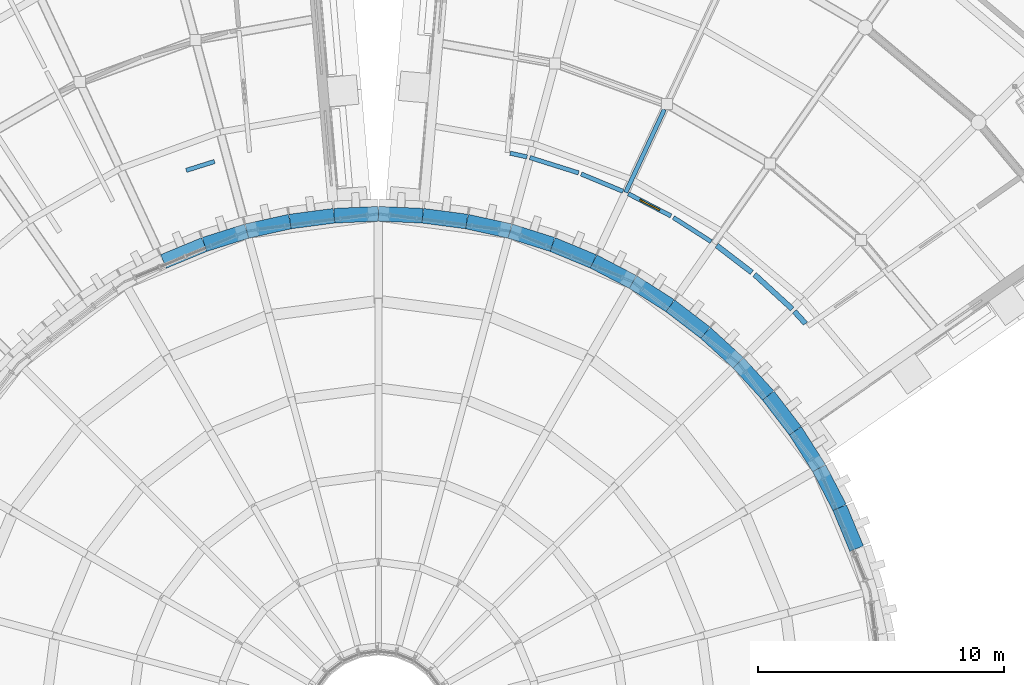
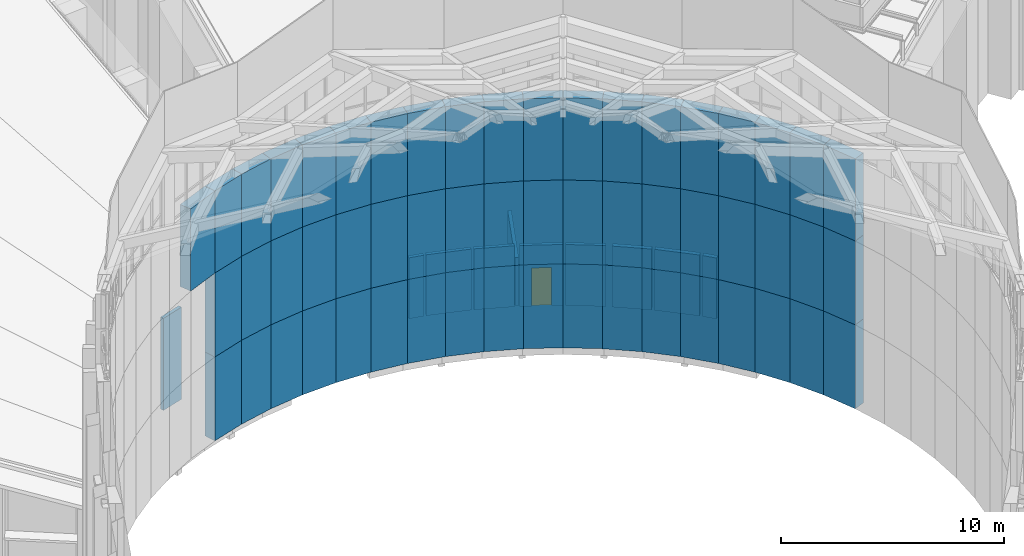
# One storey, part 55 of 82: 65 walls, 1 door, 1 opening.
"""IFC4 building model written with IfcOpenShell, lengths in metres."""

from ifc_helpers import new_model, si_unit, direction, frame, frame_2d, origin, place, context, subcontext, project, spatial, rectangle, extrude, material, layer, layer_set, type_object, element, fill, save


model = new_model("IFC4")

# Units and contexts
model_context = context("Model", 3, precision=1e-05, world=origin(), true_north=direction((0.0, 1.0)))
body_context = subcontext(model_context, "Body", "Model", "MODEL_VIEW")
ifc_project = project(units=[si_unit("LENGTHUNIT", "METRE"), si_unit("AREAUNIT", "SQUARE_METRE"), si_unit("VOLUMEUNIT", "CUBIC_METRE"), si_unit("PLANEANGLEUNIT", "RADIAN"), si_unit("MASSUNIT", "GRAM", prefix="KILO")], contexts=[model_context])

# Site, building, storey
site_placement = place(None, origin())
site = spatial("IfcSite", under=ifc_project, at=site_placement, CompositionType="ELEMENT")
building_placement = place(site_placement, origin())
building = spatial("IfcBuilding", under=site, at=building_placement, Name="Volute Hill Aquarium", CompositionType="ELEMENT")
storey_placement = place(building_placement, frame((0.0, 0.0, 13.800048828125)))
storey = spatial("IfcBuildingStorey", under=building, at=storey_placement, Name="L04", CompositionType="ELEMENT", Elevation=13.800048828125)

# Wall
ifc_material_1 = material(Name="Gypsum board on steel studs", Category="steel")
ifc_layer_1 = layer(ifc_material_1, 0.175048828125)
ifc_layer_set_1 = layer_set([ifc_layer_1], Name="Corridor partition 175 EI 60")
wall_type_1 = type_object("IfcWallType", Name="Corridor partition 175 EI 60", PredefinedType="PARTITIONING", material=ifc_layer_set_1)
wall_1_placement = place(storey_placement, frame((11.631591796875, 24.944091796875, 0.0), z_axis=(0.0, 0.0, 1.0), x_axis=(-0.422598231928, -0.906317126822, 0.0)))
element("IfcWall", 1, at=wall_1_placement, inside=storey, type_object=wall_type_1, Name="pw/S5/L04/020", PredefinedType="PARTITIONING", context=body_context, shape_type="SweptSolid", body=[
    extrude(rectangle(XDim=3.722900390625, YDim=0.175048828125, at=frame_2d((1.861328125, 0.0))), origin(), (0.0, 0.0, 1.0), 2.621826171875),
])

# Wall, opening, door
wall_2_placement = place(storey_placement, frame((10.16259765625, 21.515869140625, 0.0), z_axis=(0.0, 0.0, 1.0), x_axis=(0.886977909213, -0.46181185408, 0.0)))
wall_2 = element("IfcWall", 2, at=wall_2_placement, inside=storey, type_object=wall_type_1, Name="pw/S5/L04/029", PredefinedType="PARTITIONING", context=body_context, shape_type="SweptSolid", body=[
    extrude(rectangle(XDim=1.958740234375, YDim=0.175048828125, at=frame_2d((0.9794921875, 0.0))), origin(), (0.0, 0.0, 1.0), 3.343017578125),
])
opening_placement = place(wall_2_placement, frame((0.529296875, 0.0, 0.0)))
opening = element("IfcOpeningElement", 3, at=opening_placement, cuts=wall_2, Name="Opening D5.04.01", PredefinedType="OPENING", context=body_context, shape_type="SweptSolid", body=[
    extrude(rectangle(XDim=0.89990234375, YDim=2.10009765625, at=frame_2d((0.449951171875, 1.050048828125))), frame((0.0, 0.097412109375, 0.0), z_axis=(0.0, -1.0, 0.0), x_axis=(1.0, 0.0, 0.0)), (0.0, 0.0, 1.0), 0.195068359375),
])
ifc_material_2 = material(Name="Timber, fire-rated", Category="wood")
door_type = type_object("IfcDoorType", Name="Door 900 x 2100 wc single EI1 30", OperationType="SINGLE_SWING_LEFT", PredefinedType="DOOR", material=ifc_material_2)
door_placement = place(opening_placement, origin())
door = element("IfcDoor", 4, at=door_placement, inside=storey, type_object=door_type, Name="d/S5/L04/01", OperationType="SINGLE_SWING_LEFT", OverallHeight=2.10009765625, OverallWidth=0.89990234375, PredefinedType="DOOR", context=body_context, shape_type="SweptSolid", body=[
    extrude(rectangle(XDim=0.89990234375, YDim=2.10009765625, at=frame_2d((0.449951171875, 1.050048828125))), frame((0.0, 0.02490234375, 0.0), z_axis=(0.0, -1.0, 0.0), x_axis=(1.0, 0.0, 0.0)), (0.0, 0.0, 1.0), 0.050048828125),
])
fill(opening, door)

# Walls
wall_3_placement = place(storey_placement, frame((6.159912109375, 22.989013671875, 0.0), z_axis=(0.0, 0.0, 1.0), x_axis=(0.953730050022, -0.300664250759, 0.0)))
element("IfcWall", 5, at=wall_3_placement, inside=storey, type_object=wall_type_1, Name="pw/S5/L04/030", PredefinedType="PARTITIONING", context=body_context, shape_type="SweptSolid", body=[
    extrude(rectangle(XDim=2.076416015625, YDim=0.175048828125, at=frame_2d((1.0380859375, 0.0))), origin(), (0.0, 0.0, 1.0), 3.341552734375),
])
wall_4_placement = place(storey_placement, frame((11.9990234375, 20.54833984375, 0.0), z_axis=(0.0, 0.0, 1.0), x_axis=(0.843357799578, -0.537352418708, 0.0)))
element("IfcWall", 6, at=wall_4_placement, inside=storey, type_object=wall_type_1, Name="pw/S5/L04/031", PredefinedType="PARTITIONING", context=body_context, shape_type="SweptSolid", body=[
    extrude(rectangle(XDim=1.821533203125, YDim=0.175048828125, at=frame_2d((0.91064453125, 0.0))), origin(), (0.0, 0.0, 1.0), 3.34326171875),
])
wall_5_placement = place(storey_placement, frame((8.24853515625, 22.319580078125, 0.0), z_axis=(0.0, 0.0, 1.0), x_axis=(0.923890787601, -0.382656259044, 0.0)))
element("IfcWall", 7, at=wall_5_placement, inside=storey, type_object=wall_type_1, Name="pw/S5/L04/032", PredefinedType="PARTITIONING", context=body_context, shape_type="SweptSolid", body=[
    extrude(rectangle(XDim=1.84130859375, YDim=0.175048828125, at=frame_2d((0.920654296875, 0.0))), origin(), (0.0, 0.0, 1.0), 3.343017578125),
])
wall_6_placement = place(storey_placement, frame((5.35595703125, 23.167236328125, 0.0), z_axis=(0.0, 0.0, 1.0), x_axis=(0.976284608058, -0.216491025379, 0.0)))
element("IfcWall", 8, at=wall_6_placement, inside=storey, type_object=wall_type_1, Name="pw/S5/L04/039", PredefinedType="PARTITIONING", context=body_context, shape_type="SweptSolid", body=[
    extrude(rectangle(XDim=0.7060546875, YDim=0.175048828125, at=frame_2d((0.35302734375, 0.0))), origin(), (0.0, 0.0, 1.0), 3.343017578125),
])
wall_7_placement = place(storey_placement, frame((-7.819580078125, 22.4658203125, 0.0), z_axis=(0.0, 0.0, 1.0), x_axis=(0.953765647502, 0.300551309505, 0.0)))
element("IfcWall", 9, at=wall_7_placement, inside=storey, type_object=wall_type_1, Name="pw/S6/L04/048", PredefinedType="PARTITIONING", context=body_context, shape_type="SweptSolid", body=[
    extrude(rectangle(XDim=1.208740234375, YDim=0.175048828125, at=frame_2d((0.6044921875, 0.0))), origin(), (0.0, 0.0, 1.0), 5.047607421875),
])
ifc_material_3 = material(Name="Concrete C35/45", Category="concrete")
ifc_layer_2 = layer(ifc_material_3, 0.60009765625)
ifc_layer_set_2 = layer_set([ifc_layer_2], Name="Drum wall C35/45 600")
wall_type_2 = type_object("IfcWallType", Name="Drum wall C35/45 600", PredefinedType="SHEAR", material=ifc_layer_set_2)
wall_8_placement = place(storey_placement, frame((19.45166015625, 7.079833984375, 0.0), z_axis=(0.0, 0.0, 1.0), x_axis=(-0.382713954298, 0.923866889322, 0.0)))
element("IfcWall", 10, at=wall_8_placement, inside=storey, type_object=wall_type_2, Name="sw/DR/L04/4", PredefinedType="SHEAR", context=body_context, shape_type="SweptSolid", body=[
    extrude(rectangle(XDim=1.805908203125, YDim=0.60009765625, at=frame_2d((0.90283203125, 0.0))), origin(), (0.0, 0.0, 1.0), 4.599853515625),
])
wall_9_placement = place(storey_placement, frame((19.45166015625, 7.079833984375, 4.599853515625), z_axis=(0.0, 0.0, 1.0), x_axis=(-0.382713954298, 0.923866889322, 0.0)))
element("IfcWall", 11, at=wall_9_placement, inside=storey, type_object=wall_type_2, Name="sw/DR/L04/76", PredefinedType="SHEAR", context=body_context, shape_type="SweptSolid", body=[
    extrude(rectangle(XDim=1.805908203125, YDim=0.60009765625, at=frame_2d((0.90283203125, 0.0))), origin(), (0.0, 0.0, 1.0), 4.60009765625),
])
wall_10_placement = place(storey_placement, frame((19.45166015625, 7.079833984375, 9.199951171875), z_axis=(0.0, 0.0, 1.0), x_axis=(-0.382713954298, 0.923866889322, 0.0)))
element("IfcWall", 12, at=wall_10_placement, inside=storey, type_object=wall_type_2, Name="sw/DR/L04/148", PredefinedType="SHEAR", context=body_context, shape_type="SweptSolid", body=[
    extrude(rectangle(XDim=1.805908203125, YDim=0.60009765625, at=frame_2d((0.90283203125, 0.0))), origin(), (0.0, 0.0, 1.0), 4.5),
])
wall_11_placement = place(storey_placement, frame((18.760498046875, 8.748291015625, 0.0), z_axis=(0.0, 0.0, 1.0), x_axis=(-0.461701764231, 0.887035219654, 0.0)))
element("IfcWall", 13, at=wall_11_placement, inside=storey, type_object=wall_type_2, Name="sw/DR/L04/5", PredefinedType="SHEAR", context=body_context, shape_type="SweptSolid", body=[
    extrude(rectangle(XDim=1.805908203125, YDim=0.60009765625, at=frame_2d((0.90283203125, 0.0))), origin(), (0.0, 0.0, 1.0), 4.599853515625),
])
wall_12_placement = place(storey_placement, frame((18.760498046875, 8.748291015625, 4.599853515625), z_axis=(0.0, 0.0, 1.0), x_axis=(-0.461701764231, 0.887035219654, 0.0)))
element("IfcWall", 14, at=wall_12_placement, inside=storey, type_object=wall_type_2, Name="sw/DR/L04/77", PredefinedType="SHEAR", context=body_context, shape_type="SweptSolid", body=[
    extrude(rectangle(XDim=1.805908203125, YDim=0.60009765625, at=frame_2d((0.90283203125, 0.0))), origin(), (0.0, 0.0, 1.0), 4.60009765625),
])
wall_13_placement = place(storey_placement, frame((18.760498046875, 8.748291015625, 9.199951171875), z_axis=(0.0, 0.0, 1.0), x_axis=(-0.461701764231, 0.887035219654, 0.0)))
element("IfcWall", 15, at=wall_13_placement, inside=storey, type_object=wall_type_2, Name="sw/DR/L04/149", PredefinedType="SHEAR", context=body_context, shape_type="SweptSolid", body=[
    extrude(rectangle(XDim=1.805908203125, YDim=0.60009765625, at=frame_2d((0.90283203125, 0.0))), origin(), (0.0, 0.0, 1.0), 4.5),
])
wall_14_placement = place(storey_placement, frame((17.9267578125, 10.35009765625, 0.0), z_axis=(0.0, 0.0, 1.0), x_axis=(-0.537391510251, 0.843332890803, 0.0)))
element("IfcWall", 16, at=wall_14_placement, inside=storey, type_object=wall_type_2, Name="sw/DR/L04/6", PredefinedType="SHEAR", context=body_context, shape_type="SweptSolid", body=[
    extrude(rectangle(XDim=1.805908203125, YDim=0.60009765625, at=frame_2d((0.90283203125, 0.0))), origin(), (0.0, 0.0, 1.0), 4.599853515625),
])
wall_15_placement = place(storey_placement, frame((17.9267578125, 10.35009765625, 4.599853515625), z_axis=(0.0, 0.0, 1.0), x_axis=(-0.537391510251, 0.843332890803, 0.0)))
element("IfcWall", 17, at=wall_15_placement, inside=storey, type_object=wall_type_2, Name="sw/DR/L04/78", PredefinedType="SHEAR", context=body_context, shape_type="SweptSolid", body=[
    extrude(rectangle(XDim=1.805908203125, YDim=0.60009765625, at=frame_2d((0.90283203125, 0.0))), origin(), (0.0, 0.0, 1.0), 4.60009765625),
])
wall_16_placement = place(storey_placement, frame((17.9267578125, 10.35009765625, 9.199951171875), z_axis=(0.0, 0.0, 1.0), x_axis=(-0.537391510251, 0.843332890803, 0.0)))
element("IfcWall", 18, at=wall_16_placement, inside=storey, type_object=wall_type_2, Name="sw/DR/L04/150", PredefinedType="SHEAR", context=body_context, shape_type="SweptSolid", body=[
    extrude(rectangle(XDim=1.805908203125, YDim=0.60009765625, at=frame_2d((0.90283203125, 0.0))), origin(), (0.0, 0.0, 1.0), 4.5),
])
wall_17_placement = place(storey_placement, frame((16.956298828125, 11.873046875, 0.0), z_axis=(0.0, 0.0, 1.0), x_axis=(-0.608704004289, 0.793397400526, 0.0)))
element("IfcWall", 19, at=wall_17_placement, inside=storey, type_object=wall_type_2, Name="sw/DR/L04/7", PredefinedType="SHEAR", context=body_context, shape_type="SweptSolid", body=[
    extrude(rectangle(XDim=1.8056640625, YDim=0.60009765625, at=frame_2d((0.90283203125, 0.0))), origin(), (0.0, 0.0, 1.0), 4.599853515625),
])
wall_18_placement = place(storey_placement, frame((16.956298828125, 11.873046875, 4.599853515625), z_axis=(0.0, 0.0, 1.0), x_axis=(-0.608704004289, 0.793397400526, 0.0)))
element("IfcWall", 20, at=wall_18_placement, inside=storey, type_object=wall_type_2, Name="sw/DR/L04/79", PredefinedType="SHEAR", context=body_context, shape_type="SweptSolid", body=[
    extrude(rectangle(XDim=1.8056640625, YDim=0.60009765625, at=frame_2d((0.90283203125, 0.0))), origin(), (0.0, 0.0, 1.0), 4.60009765625),
])
wall_19_placement = place(storey_placement, frame((16.956298828125, 11.873046875, 9.199951171875), z_axis=(0.0, 0.0, 1.0), x_axis=(-0.608704004289, 0.793397400526, 0.0)))
element("IfcWall", 21, at=wall_19_placement, inside=storey, type_object=wall_type_2, Name="sw/DR/L04/151", PredefinedType="SHEAR", context=body_context, shape_type="SweptSolid", body=[
    extrude(rectangle(XDim=1.8056640625, YDim=0.60009765625, at=frame_2d((0.90283203125, 0.0))), origin(), (0.0, 0.0, 1.0), 4.5),
])
wall_20_placement = place(storey_placement, frame((15.857177734375, 13.3056640625, 0.0), z_axis=(0.0, 0.0, 1.0), x_axis=(-0.675540954152, 0.737322466268, 0.0)))
element("IfcWall", 22, at=wall_20_placement, inside=storey, type_object=wall_type_2, Name="sw/DR/L04/8", PredefinedType="SHEAR", context=body_context, shape_type="SweptSolid", body=[
    extrude(rectangle(XDim=1.805908203125, YDim=0.60009765625, at=frame_2d((0.90283203125, 0.0))), origin(), (0.0, 0.0, 1.0), 4.599853515625),
])
wall_21_placement = place(storey_placement, frame((15.857177734375, 13.3056640625, 4.599853515625), z_axis=(0.0, 0.0, 1.0), x_axis=(-0.675540954152, 0.737322466268, 0.0)))
element("IfcWall", 23, at=wall_21_placement, inside=storey, type_object=wall_type_2, Name="sw/DR/L04/80", PredefinedType="SHEAR", context=body_context, shape_type="SweptSolid", body=[
    extrude(rectangle(XDim=1.805908203125, YDim=0.60009765625, at=frame_2d((0.90283203125, 0.0))), origin(), (0.0, 0.0, 1.0), 4.60009765625),
])
wall_22_placement = place(storey_placement, frame((15.857177734375, 13.3056640625, 9.199951171875), z_axis=(0.0, 0.0, 1.0), x_axis=(-0.675540954152, 0.737322466268, 0.0)))
element("IfcWall", 24, at=wall_22_placement, inside=storey, type_object=wall_type_2, Name="sw/DR/L04/152", PredefinedType="SHEAR", context=body_context, shape_type="SweptSolid", body=[
    extrude(rectangle(XDim=1.805908203125, YDim=0.60009765625, at=frame_2d((0.90283203125, 0.0))), origin(), (0.0, 0.0, 1.0), 4.5),
])
wall_23_placement = place(storey_placement, frame((14.63720703125, 14.63720703125, 0.0), z_axis=(0.0, 0.0, 1.0), x_axis=(-0.737322466268, 0.675540954152, 0.0)))
element("IfcWall", 25, at=wall_23_placement, inside=storey, type_object=wall_type_2, Name="sw/DR/L04/9", PredefinedType="SHEAR", context=body_context, shape_type="SweptSolid", body=[
    extrude(rectangle(XDim=1.805908203125, YDim=0.60009765625, at=frame_2d((0.90283203125, 0.0))), origin(), (0.0, 0.0, 1.0), 4.599853515625),
])
wall_24_placement = place(storey_placement, frame((14.63720703125, 14.63720703125, 4.599853515625), z_axis=(0.0, 0.0, 1.0), x_axis=(-0.737322466268, 0.675540954152, 0.0)))
element("IfcWall", 26, at=wall_24_placement, inside=storey, type_object=wall_type_2, Name="sw/DR/L04/81", PredefinedType="SHEAR", context=body_context, shape_type="SweptSolid", body=[
    extrude(rectangle(XDim=1.805908203125, YDim=0.60009765625, at=frame_2d((0.90283203125, 0.0))), origin(), (0.0, 0.0, 1.0), 4.60009765625),
])
wall_25_placement = place(storey_placement, frame((14.63720703125, 14.63720703125, 9.199951171875), z_axis=(0.0, 0.0, 1.0), x_axis=(-0.737322466268, 0.675540954152, 0.0)))
element("IfcWall", 27, at=wall_25_placement, inside=storey, type_object=wall_type_2, Name="sw/DR/L04/153", PredefinedType="SHEAR", context=body_context, shape_type="SweptSolid", body=[
    extrude(rectangle(XDim=1.805908203125, YDim=0.60009765625, at=frame_2d((0.90283203125, 0.0))), origin(), (0.0, 0.0, 1.0), 4.5),
])
wall_26_placement = place(storey_placement, frame((13.3056640625, 15.857177734375, 0.0), z_axis=(0.0, 0.0, 1.0), x_axis=(-0.793397400526, 0.608704004289, 0.0)))
element("IfcWall", 28, at=wall_26_placement, inside=storey, type_object=wall_type_2, Name="sw/DR/L04/10", PredefinedType="SHEAR", context=body_context, shape_type="SweptSolid", body=[
    extrude(rectangle(XDim=1.8056640625, YDim=0.60009765625, at=frame_2d((0.90283203125, 0.0))), origin(), (0.0, 0.0, 1.0), 4.599853515625),
])
wall_27_placement = place(storey_placement, frame((13.3056640625, 15.857177734375, 4.599853515625), z_axis=(0.0, 0.0, 1.0), x_axis=(-0.793397400526, 0.608704004289, 0.0)))
element("IfcWall", 29, at=wall_27_placement, inside=storey, type_object=wall_type_2, Name="sw/DR/L04/82", PredefinedType="SHEAR", context=body_context, shape_type="SweptSolid", body=[
    extrude(rectangle(XDim=1.8056640625, YDim=0.60009765625, at=frame_2d((0.90283203125, 0.0))), origin(), (0.0, 0.0, 1.0), 4.60009765625),
])
wall_28_placement = place(storey_placement, frame((13.3056640625, 15.857177734375, 9.199951171875), z_axis=(0.0, 0.0, 1.0), x_axis=(-0.793397400526, 0.608704004289, 0.0)))
element("IfcWall", 30, at=wall_28_placement, inside=storey, type_object=wall_type_2, Name="sw/DR/L04/154", PredefinedType="SHEAR", context=body_context, shape_type="SweptSolid", body=[
    extrude(rectangle(XDim=1.8056640625, YDim=0.60009765625, at=frame_2d((0.90283203125, 0.0))), origin(), (0.0, 0.0, 1.0), 4.5),
])
wall_29_placement = place(storey_placement, frame((11.873046875, 16.956298828125, 0.0), z_axis=(0.0, 0.0, 1.0), x_axis=(-0.843332890803, 0.537391510251, 0.0)))
element("IfcWall", 31, at=wall_29_placement, inside=storey, type_object=wall_type_2, Name="sw/DR/L04/11", PredefinedType="SHEAR", context=body_context, shape_type="SweptSolid", body=[
    extrude(rectangle(XDim=1.805908203125, YDim=0.60009765625, at=frame_2d((0.90283203125, 0.0))), origin(), (0.0, 0.0, 1.0), 4.599853515625),
])
wall_30_placement = place(storey_placement, frame((11.873046875, 16.956298828125, 4.599853515625), z_axis=(0.0, 0.0, 1.0), x_axis=(-0.843332890803, 0.537391510251, 0.0)))
element("IfcWall", 32, at=wall_30_placement, inside=storey, type_object=wall_type_2, Name="sw/DR/L04/83", PredefinedType="SHEAR", context=body_context, shape_type="SweptSolid", body=[
    extrude(rectangle(XDim=1.805908203125, YDim=0.60009765625, at=frame_2d((0.90283203125, 0.0))), origin(), (0.0, 0.0, 1.0), 4.60009765625),
])
wall_31_placement = place(storey_placement, frame((11.873046875, 16.956298828125, 9.199951171875), z_axis=(0.0, 0.0, 1.0), x_axis=(-0.843332890803, 0.537391510251, 0.0)))
element("IfcWall", 33, at=wall_31_placement, inside=storey, type_object=wall_type_2, Name="sw/DR/L04/155", PredefinedType="SHEAR", context=body_context, shape_type="SweptSolid", body=[
    extrude(rectangle(XDim=1.805908203125, YDim=0.60009765625, at=frame_2d((0.90283203125, 0.0))), origin(), (0.0, 0.0, 1.0), 4.5),
])
wall_32_placement = place(storey_placement, frame((10.35009765625, 17.9267578125, 0.0), z_axis=(0.0, 0.0, 1.0), x_axis=(-0.887035219654, 0.461701764231, 0.0)))
element("IfcWall", 34, at=wall_32_placement, inside=storey, type_object=wall_type_2, Name="sw/DR/L04/12", PredefinedType="SHEAR", context=body_context, shape_type="SweptSolid", body=[
    extrude(rectangle(XDim=1.805908203125, YDim=0.60009765625, at=frame_2d((0.90283203125, 0.0))), origin(), (0.0, 0.0, 1.0), 4.599853515625),
])
wall_33_placement = place(storey_placement, frame((10.35009765625, 17.9267578125, 4.599853515625), z_axis=(0.0, 0.0, 1.0), x_axis=(-0.887035219654, 0.461701764231, 0.0)))
element("IfcWall", 35, at=wall_33_placement, inside=storey, type_object=wall_type_2, Name="sw/DR/L04/84", PredefinedType="SHEAR", context=body_context, shape_type="SweptSolid", body=[
    extrude(rectangle(XDim=1.805908203125, YDim=0.60009765625, at=frame_2d((0.90283203125, 0.0))), origin(), (0.0, 0.0, 1.0), 4.60009765625),
])
wall_34_placement = place(storey_placement, frame((10.35009765625, 17.9267578125, 9.199951171875), z_axis=(0.0, 0.0, 1.0), x_axis=(-0.887035219654, 0.461701764231, 0.0)))
element("IfcWall", 36, at=wall_34_placement, inside=storey, type_object=wall_type_2, Name="sw/DR/L04/156", PredefinedType="SHEAR", context=body_context, shape_type="SweptSolid", body=[
    extrude(rectangle(XDim=1.805908203125, YDim=0.60009765625, at=frame_2d((0.90283203125, 0.0))), origin(), (0.0, 0.0, 1.0), 4.5),
])
wall_35_placement = place(storey_placement, frame((8.748291015625, 18.760498046875, 0.0), z_axis=(0.0, 0.0, 1.0), x_axis=(-0.923866889322, 0.382713954298, 0.0)))
element("IfcWall", 37, at=wall_35_placement, inside=storey, type_object=wall_type_2, Name="sw/DR/L04/13", PredefinedType="SHEAR", context=body_context, shape_type="SweptSolid", body=[
    extrude(rectangle(XDim=1.805908203125, YDim=0.60009765625, at=frame_2d((0.90283203125, 0.0))), origin(), (0.0, 0.0, 1.0), 4.599853515625),
])
wall_36_placement = place(storey_placement, frame((8.748291015625, 18.760498046875, 4.599853515625), z_axis=(0.0, 0.0, 1.0), x_axis=(-0.923866889322, 0.382713954298, 0.0)))
element("IfcWall", 38, at=wall_36_placement, inside=storey, type_object=wall_type_2, Name="sw/DR/L04/85", PredefinedType="SHEAR", context=body_context, shape_type="SweptSolid", body=[
    extrude(rectangle(XDim=1.805908203125, YDim=0.60009765625, at=frame_2d((0.90283203125, 0.0))), origin(), (0.0, 0.0, 1.0), 4.60009765625),
])
wall_37_placement = place(storey_placement, frame((8.748291015625, 18.760498046875, 9.199951171875), z_axis=(0.0, 0.0, 1.0), x_axis=(-0.923866889322, 0.382713954298, 0.0)))
element("IfcWall", 39, at=wall_37_placement, inside=storey, type_object=wall_type_2, Name="sw/DR/L04/157", PredefinedType="SHEAR", context=body_context, shape_type="SweptSolid", body=[
    extrude(rectangle(XDim=1.805908203125, YDim=0.60009765625, at=frame_2d((0.90283203125, 0.0))), origin(), (0.0, 0.0, 1.0), 4.5),
])
wall_38_placement = place(storey_placement, frame((7.079833984375, 19.45166015625, 0.0), z_axis=(0.0, 0.0, 1.0), x_axis=(-0.953721512733, 0.300691330354, 0.0)))
element("IfcWall", 40, at=wall_38_placement, inside=storey, type_object=wall_type_2, Name="sw/DR/L04/14", PredefinedType="SHEAR", context=body_context, shape_type="SweptSolid", body=[
    extrude(rectangle(XDim=1.8056640625, YDim=0.60009765625, at=frame_2d((0.90283203125, 0.0))), origin(), (0.0, 0.0, 1.0), 4.599853515625),
])
wall_39_placement = place(storey_placement, frame((7.079833984375, 19.45166015625, 4.599853515625), z_axis=(0.0, 0.0, 1.0), x_axis=(-0.953721512733, 0.300691330354, 0.0)))
element("IfcWall", 41, at=wall_39_placement, inside=storey, type_object=wall_type_2, Name="sw/DR/L04/86", PredefinedType="SHEAR", context=body_context, shape_type="SweptSolid", body=[
    extrude(rectangle(XDim=1.8056640625, YDim=0.60009765625, at=frame_2d((0.90283203125, 0.0))), origin(), (0.0, 0.0, 1.0), 4.60009765625),
])
wall_40_placement = place(storey_placement, frame((7.079833984375, 19.45166015625, 9.199951171875), z_axis=(0.0, 0.0, 1.0), x_axis=(-0.953721512733, 0.300691330354, 0.0)))
element("IfcWall", 42, at=wall_40_placement, inside=storey, type_object=wall_type_2, Name="sw/DR/L04/158", PredefinedType="SHEAR", context=body_context, shape_type="SweptSolid", body=[
    extrude(rectangle(XDim=1.8056640625, YDim=0.60009765625, at=frame_2d((0.90283203125, 0.0))), origin(), (0.0, 0.0, 1.0), 4.5),
])
wall_41_placement = place(storey_placement, frame((5.357666015625, 19.99462890625, 0.0), z_axis=(0.0, 0.0, 1.0), x_axis=(-0.976298259567, 0.216429453554, 0.0)))
element("IfcWall", 43, at=wall_41_placement, inside=storey, type_object=wall_type_2, Name="sw/DR/L04/15", PredefinedType="SHEAR", context=body_context, shape_type="SweptSolid", body=[
    extrude(rectangle(XDim=1.805908203125, YDim=0.60009765625, at=frame_2d((0.90283203125, 0.0))), origin(), (0.0, 0.0, 1.0), 4.599853515625),
])
wall_42_placement = place(storey_placement, frame((5.357666015625, 19.99462890625, 4.599853515625), z_axis=(0.0, 0.0, 1.0), x_axis=(-0.976298259567, 0.216429453554, 0.0)))
element("IfcWall", 44, at=wall_42_placement, inside=storey, type_object=wall_type_2, Name="sw/DR/L04/87", PredefinedType="SHEAR", context=body_context, shape_type="SweptSolid", body=[
    extrude(rectangle(XDim=1.805908203125, YDim=0.60009765625, at=frame_2d((0.90283203125, 0.0))), origin(), (0.0, 0.0, 1.0), 4.60009765625),
])
wall_43_placement = place(storey_placement, frame((5.357666015625, 19.99462890625, 9.199951171875), z_axis=(0.0, 0.0, 1.0), x_axis=(-0.976298259567, 0.216429453554, 0.0)))
element("IfcWall", 45, at=wall_43_placement, inside=storey, type_object=wall_type_2, Name="sw/DR/L04/159", PredefinedType="SHEAR", context=body_context, shape_type="SweptSolid", body=[
    extrude(rectangle(XDim=1.805908203125, YDim=0.60009765625, at=frame_2d((0.90283203125, 0.0))), origin(), (0.0, 0.0, 1.0), 4.5),
])
wall_44_placement = place(storey_placement, frame((3.594482421875, 20.385498046875, 0.0), z_axis=(0.0, 0.0, 1.0), x_axis=(-0.991451994433, 0.130471999813, 0.0)))
element("IfcWall", 46, at=wall_44_placement, inside=storey, type_object=wall_type_2, Name="sw/DR/L04/16", PredefinedType="SHEAR", context=body_context, shape_type="SweptSolid", body=[
    extrude(rectangle(XDim=1.8056640625, YDim=0.60009765625, at=frame_2d((0.90283203125, 0.0))), origin(), (0.0, 0.0, 1.0), 4.599853515625),
])
wall_45_placement = place(storey_placement, frame((3.594482421875, 20.385498046875, 4.599853515625), z_axis=(0.0, 0.0, 1.0), x_axis=(-0.991451994433, 0.130471999813, 0.0)))
element("IfcWall", 47, at=wall_45_placement, inside=storey, type_object=wall_type_2, Name="sw/DR/L04/88", PredefinedType="SHEAR", context=body_context, shape_type="SweptSolid", body=[
    extrude(rectangle(XDim=1.8056640625, YDim=0.60009765625, at=frame_2d((0.90283203125, 0.0))), origin(), (0.0, 0.0, 1.0), 4.60009765625),
])
wall_46_placement = place(storey_placement, frame((3.594482421875, 20.385498046875, 9.199951171875), z_axis=(0.0, 0.0, 1.0), x_axis=(-0.991451994433, 0.130471999813, 0.0)))
element("IfcWall", 48, at=wall_46_placement, inside=storey, type_object=wall_type_2, Name="sw/DR/L04/160", PredefinedType="SHEAR", context=body_context, shape_type="SweptSolid", body=[
    extrude(rectangle(XDim=1.8056640625, YDim=0.60009765625, at=frame_2d((0.90283203125, 0.0))), origin(), (0.0, 0.0, 1.0), 4.5),
])
wall_47_placement = place(storey_placement, frame((1.80419921875, 20.62109375, 0.0), z_axis=(0.0, 0.0, 1.0), x_axis=(-0.999046184291, 0.043666024022, 0.0)))
element("IfcWall", 49, at=wall_47_placement, inside=storey, type_object=wall_type_2, Name="sw/DR/L04/17", PredefinedType="SHEAR", context=body_context, shape_type="SweptSolid", body=[
    extrude(rectangle(XDim=1.805908203125, YDim=0.60009765625, at=frame_2d((0.90283203125, 0.0))), origin(), (0.0, 0.0, 1.0), 4.599853515625),
])
wall_48_placement = place(storey_placement, frame((1.80419921875, 20.62109375, 4.599853515625), z_axis=(0.0, 0.0, 1.0), x_axis=(-0.999046184291, 0.043666024022, 0.0)))
element("IfcWall", 50, at=wall_48_placement, inside=storey, type_object=wall_type_2, Name="sw/DR/L04/89", PredefinedType="SHEAR", context=body_context, shape_type="SweptSolid", body=[
    extrude(rectangle(XDim=1.805908203125, YDim=0.60009765625, at=frame_2d((0.90283203125, 0.0))), origin(), (0.0, 0.0, 1.0), 4.60009765625),
])
wall_49_placement = place(storey_placement, frame((1.80419921875, 20.62109375, 9.199951171875), z_axis=(0.0, 0.0, 1.0), x_axis=(-0.999046184291, 0.043666024022, 0.0)))
element("IfcWall", 51, at=wall_49_placement, inside=storey, type_object=wall_type_2, Name="sw/DR/L04/161", PredefinedType="SHEAR", context=body_context, shape_type="SweptSolid", body=[
    extrude(rectangle(XDim=1.805908203125, YDim=0.60009765625, at=frame_2d((0.90283203125, 0.0))), origin(), (0.0, 0.0, 1.0), 4.5),
])
wall_50_placement = place(storey_placement, frame((0.0, 20.699951171875, 0.0), z_axis=(0.0, 0.0, 1.0), x_axis=(-0.999046184291, -0.043666024022, 0.0)))
element("IfcWall", 52, at=wall_50_placement, inside=storey, type_object=wall_type_2, Name="sw/DR/L04/18", PredefinedType="SHEAR", context=body_context, shape_type="SweptSolid", body=[
    extrude(rectangle(XDim=1.805908203125, YDim=0.60009765625, at=frame_2d((0.90283203125, 0.0))), origin(), (0.0, 0.0, 1.0), 4.599853515625),
])
wall_51_placement = place(storey_placement, frame((0.0, 20.699951171875, 4.599853515625), z_axis=(0.0, 0.0, 1.0), x_axis=(-0.999046184291, -0.043666024022, 0.0)))
element("IfcWall", 53, at=wall_51_placement, inside=storey, type_object=wall_type_2, Name="sw/DR/L04/90", PredefinedType="SHEAR", context=body_context, shape_type="SweptSolid", body=[
    extrude(rectangle(XDim=1.805908203125, YDim=0.60009765625, at=frame_2d((0.90283203125, 0.0))), origin(), (0.0, 0.0, 1.0), 4.60009765625),
])
wall_52_placement = place(storey_placement, frame((0.0, 20.699951171875, 9.199951171875), z_axis=(0.0, 0.0, 1.0), x_axis=(-0.999046184291, -0.043666024022, 0.0)))
element("IfcWall", 54, at=wall_52_placement, inside=storey, type_object=wall_type_2, Name="sw/DR/L04/162", PredefinedType="SHEAR", context=body_context, shape_type="SweptSolid", body=[
    extrude(rectangle(XDim=1.805908203125, YDim=0.60009765625, at=frame_2d((0.90283203125, 0.0))), origin(), (0.0, 0.0, 1.0), 4.5),
])
wall_53_placement = place(storey_placement, frame((-1.80419921875, 20.62109375, 0.0), z_axis=(0.0, 0.0, 1.0), x_axis=(-0.991451994433, -0.130471999813, 0.0)))
element("IfcWall", 55, at=wall_53_placement, inside=storey, type_object=wall_type_2, Name="sw/DR/L04/19", PredefinedType="SHEAR", context=body_context, shape_type="SweptSolid", body=[
    extrude(rectangle(XDim=1.8056640625, YDim=0.60009765625, at=frame_2d((0.90283203125, 0.0))), origin(), (0.0, 0.0, 1.0), 4.599853515625),
])
wall_54_placement = place(storey_placement, frame((-1.80419921875, 20.62109375, 4.599853515625), z_axis=(0.0, 0.0, 1.0), x_axis=(-0.991451994433, -0.130471999813, 0.0)))
element("IfcWall", 56, at=wall_54_placement, inside=storey, type_object=wall_type_2, Name="sw/DR/L04/91", PredefinedType="SHEAR", context=body_context, shape_type="SweptSolid", body=[
    extrude(rectangle(XDim=1.8056640625, YDim=0.60009765625, at=frame_2d((0.90283203125, 0.0))), origin(), (0.0, 0.0, 1.0), 4.60009765625),
])
wall_55_placement = place(storey_placement, frame((-1.80419921875, 20.62109375, 9.199951171875), z_axis=(0.0, 0.0, 1.0), x_axis=(-0.991451994433, -0.130471999813, 0.0)))
element("IfcWall", 57, at=wall_55_placement, inside=storey, type_object=wall_type_2, Name="sw/DR/L04/163", PredefinedType="SHEAR", context=body_context, shape_type="SweptSolid", body=[
    extrude(rectangle(XDim=1.8056640625, YDim=0.60009765625, at=frame_2d((0.90283203125, 0.0))), origin(), (0.0, 0.0, 1.0), 4.5),
])
wall_56_placement = place(storey_placement, frame((-3.594482421875, 20.385498046875, 0.0), z_axis=(0.0, 0.0, 1.0), x_axis=(-0.976298259567, -0.216429453554, 0.0)))
element("IfcWall", 58, at=wall_56_placement, inside=storey, type_object=wall_type_2, Name="sw/DR/L04/20", PredefinedType="SHEAR", context=body_context, shape_type="SweptSolid", body=[
    extrude(rectangle(XDim=1.805908203125, YDim=0.60009765625, at=frame_2d((0.90283203125, 0.0))), origin(), (0.0, 0.0, 1.0), 4.599853515625),
])
wall_57_placement = place(storey_placement, frame((-3.594482421875, 20.385498046875, 4.599853515625), z_axis=(0.0, 0.0, 1.0), x_axis=(-0.976298259567, -0.216429453554, 0.0)))
element("IfcWall", 59, at=wall_57_placement, inside=storey, type_object=wall_type_2, Name="sw/DR/L04/92", PredefinedType="SHEAR", context=body_context, shape_type="SweptSolid", body=[
    extrude(rectangle(XDim=1.805908203125, YDim=0.60009765625, at=frame_2d((0.90283203125, 0.0))), origin(), (0.0, 0.0, 1.0), 4.60009765625),
])
wall_58_placement = place(storey_placement, frame((-3.594482421875, 20.385498046875, 9.199951171875), z_axis=(0.0, 0.0, 1.0), x_axis=(-0.976298259567, -0.216429453554, 0.0)))
element("IfcWall", 60, at=wall_58_placement, inside=storey, type_object=wall_type_2, Name="sw/DR/L04/164", PredefinedType="SHEAR", context=body_context, shape_type="SweptSolid", body=[
    extrude(rectangle(XDim=1.805908203125, YDim=0.60009765625, at=frame_2d((0.90283203125, 0.0))), origin(), (0.0, 0.0, 1.0), 4.5),
])
wall_59_placement = place(storey_placement, frame((-5.357666015625, 19.99462890625, 0.0), z_axis=(0.0, 0.0, 1.0), x_axis=(-0.953721512733, -0.300691330354, 0.0)))
element("IfcWall", 61, at=wall_59_placement, inside=storey, type_object=wall_type_2, Name="sw/DR/L04/21", PredefinedType="SHEAR", context=body_context, shape_type="SweptSolid", body=[
    extrude(rectangle(XDim=1.8056640625, YDim=0.60009765625, at=frame_2d((0.90283203125, 0.0))), origin(), (0.0, 0.0, 1.0), 4.599853515625),
])
wall_60_placement = place(storey_placement, frame((-5.357666015625, 19.99462890625, 4.599853515625), z_axis=(0.0, 0.0, 1.0), x_axis=(-0.953721512733, -0.300691330354, 0.0)))
element("IfcWall", 62, at=wall_60_placement, inside=storey, type_object=wall_type_2, Name="sw/DR/L04/93", PredefinedType="SHEAR", context=body_context, shape_type="SweptSolid", body=[
    extrude(rectangle(XDim=1.8056640625, YDim=0.60009765625, at=frame_2d((0.90283203125, 0.0))), origin(), (0.0, 0.0, 1.0), 4.60009765625),
])
wall_61_placement = place(storey_placement, frame((-5.357666015625, 19.99462890625, 9.199951171875), z_axis=(0.0, 0.0, 1.0), x_axis=(-0.953721512733, -0.300691330354, 0.0)))
element("IfcWall", 63, at=wall_61_placement, inside=storey, type_object=wall_type_2, Name="sw/DR/L04/165", PredefinedType="SHEAR", context=body_context, shape_type="SweptSolid", body=[
    extrude(rectangle(XDim=1.8056640625, YDim=0.60009765625, at=frame_2d((0.90283203125, 0.0))), origin(), (0.0, 0.0, 1.0), 4.5),
])
wall_62_placement = place(storey_placement, frame((-7.079833984375, 19.45166015625, 9.199951171875), z_axis=(0.0, 0.0, 1.0), x_axis=(-0.923866889322, -0.382713954298, 0.0)))
element("IfcWall", 64, at=wall_62_placement, inside=storey, type_object=wall_type_2, Name="sw/DR/L04/166", PredefinedType="SHEAR", context=body_context, shape_type="SweptSolid", body=[
    extrude(rectangle(XDim=1.805908203125, YDim=0.60009765625, at=frame_2d((0.90283203125, 0.0))), origin(), (0.0, 0.0, 1.0), 4.5),
])
ifc_material_4 = material(Name="Masonry blockwork", Category="masonry")
ifc_layer_3 = layer(ifc_material_4, 0.215087890625)
ifc_layer_set_3 = layer_set([ifc_layer_3], Name="Plant room wall 215 EI 60")
wall_type_3 = type_object("IfcWallType", Name="Plant room wall 215 EI 60", PredefinedType="PARTITIONING", material=ifc_layer_set_3)
wall_63_placement = place(storey_placement, frame((15.29833984375, 18.23193359375, 0.0), z_axis=(0.0, 0.0, 1.0), x_axis=(0.737241988031, -0.675628782013, 0.0)))
element("IfcWall", 65, at=wall_63_placement, inside=storey, type_object=wall_type_3, Name="pw/S5/L04/028", PredefinedType="PARTITIONING", context=body_context, shape_type="SweptSolid", body=[
    extrude(rectangle(XDim=2.076416015625, YDim=0.215087890625, at=frame_2d((1.0380859375, 0.0))), origin(), (0.0, 0.0, 1.0), 3.341552734375),
])
wall_64_placement = place(storey_placement, frame((13.76025390625, 19.412109375, 0.0), z_axis=(0.0, 0.0, 1.0), x_axis=(0.793364132735, -0.608747363764, 0.0)))
element("IfcWall", 66, at=wall_64_placement, inside=storey, type_object=wall_type_3, Name="pw/S5/L04/033", PredefinedType="PARTITIONING", context=body_context, shape_type="SweptSolid", body=[
    extrude(rectangle(XDim=1.801025390625, YDim=0.215087890625, at=frame_2d((0.900390625, 0.0))), origin(), (0.0, 0.0, 1.0), 3.34326171875),
])
wall_65_placement = place(storey_placement, frame((16.922119140625, 16.727783203125, 0.0), z_axis=(0.0, 0.0, 1.0), x_axis=(0.675442297146, -0.737412844495, 0.0)))
element("IfcWall", 67, at=wall_65_placement, inside=storey, type_object=wall_type_3, Name="pw/S5/L04/040", PredefinedType="PARTITIONING", context=body_context, shape_type="SweptSolid", body=[
    extrude(rectangle(XDim=0.665771484375, YDim=0.215087890625, at=frame_2d((0.3330078125, 0.0))), origin(), (0.0, 0.0, 1.0), 3.34326171875),
])

save(model, "model.ifc")
